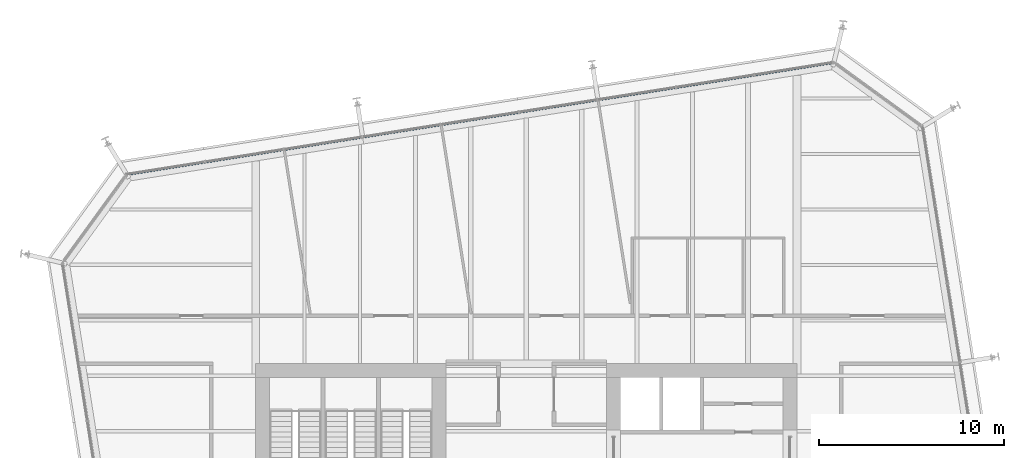
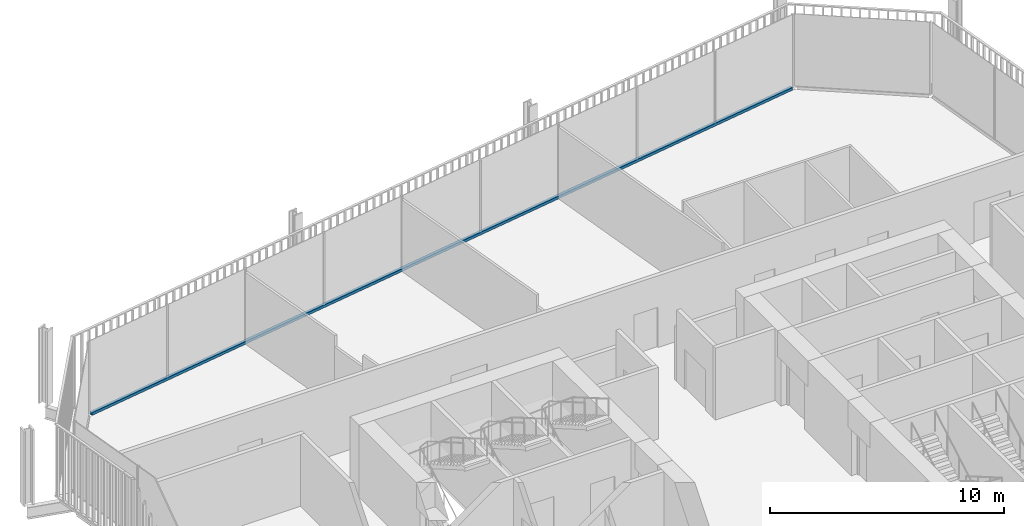
# One storey, part 12 of 21: 1 member, 1 element without a shape of its own.
"""IFC4 building model written with IfcOpenShell, lengths in metres."""

from ifc_helpers import new_model, si_unit, direction, frame, origin, origin_2d, place, context, subcontext, project, spatial, rectangle, extrude, material, layer, layer_set, material_profile, profile_set, type_object, element, aggregate, save


model = new_model("IFC4")

# Units and contexts
model_context = context("Model", 3, precision=1e-05, world=origin(), true_north=direction((0.0, 1.0)))
body_context = subcontext(model_context, "Body", "Model", "MODEL_VIEW")
ifc_project = project(units=[si_unit("LENGTHUNIT", "METRE"), si_unit("AREAUNIT", "SQUARE_METRE"), si_unit("VOLUMEUNIT", "CUBIC_METRE"), si_unit("PLANEANGLEUNIT", "RADIAN"), si_unit("MASSUNIT", "GRAM", prefix="KILO")], contexts=[model_context])

# Site, building, storey
site_placement = place(None, origin())
site = spatial("IfcSite", under=ifc_project, at=site_placement, CompositionType="ELEMENT")
building_placement = place(site_placement, origin())
building = spatial("IfcBuilding", under=site, at=building_placement, Name="Millrace Tower", CompositionType="ELEMENT")
storey_placement = place(building_placement, frame((0.0, 0.0, 156.800048828125)))
storey = spatial("IfcBuildingStorey", under=building, at=storey_placement, Name="L35", CompositionType="ELEMENT", Elevation=156.800048828125)

# Curtain wall, member
ifc_material_1 = material(Name="Aluminium and glass", Category="aluminium")
ifc_layer = layer(ifc_material_1, 0.14990234375)
ifc_layer_set = layer_set([ifc_layer], Name="Aluminium and glass")
curtain_wall_type = type_object("IfcCurtainWallType", Name="CW-1 office vision curtain wall", PredefinedType="NOTDEFINED", material=ifc_layer_set)
curtain_wall_placement = place(storey_placement, origin())
curtain_wall = element("IfcCurtainWall", 1, at=curtain_wall_placement, inside=storey, type_object=curtain_wall_type, Name="Curtain wall C-F06 L35", PredefinedType="NOTDEFINED")
ifc_material_2 = material(Name="Aluminium", Category="aluminium")
ifc_material_profile = material_profile(ifc_material_2, rectangle(XDim=0.14990234375, YDim=0.139892578125, at=origin_2d()))
ifc_profile_set = profile_set([ifc_material_profile], Name="Aluminium")
member_type = type_object("IfcMemberType", Name="CW-1 office vision curtain wall transom", PredefinedType="USERDEFINED", material=ifc_profile_set)
member_placement = place(storey_placement, frame((16.525146484375, 25.946044921875, 0.070068359375), z_axis=(-0.987688505691, -0.156433422663, 0.0), x_axis=(0.156433422663, -0.987688505691, 0.0)))
member = element("IfcMember", 2, at=member_placement, type_object=member_type, Name="CW1 transom C-F06.1", ObjectType="TRANSOM", PredefinedType="USERDEFINED", context=body_context, shape_type="SweptSolid", body=[
    extrude(rectangle(XDim=0.14990234375, YDim=0.139892578125, at=origin_2d()), origin(), (0.0, 0.0, 1.0), 38.5),
])
aggregate(curtain_wall, [member])

save(model, "model.ifc")
